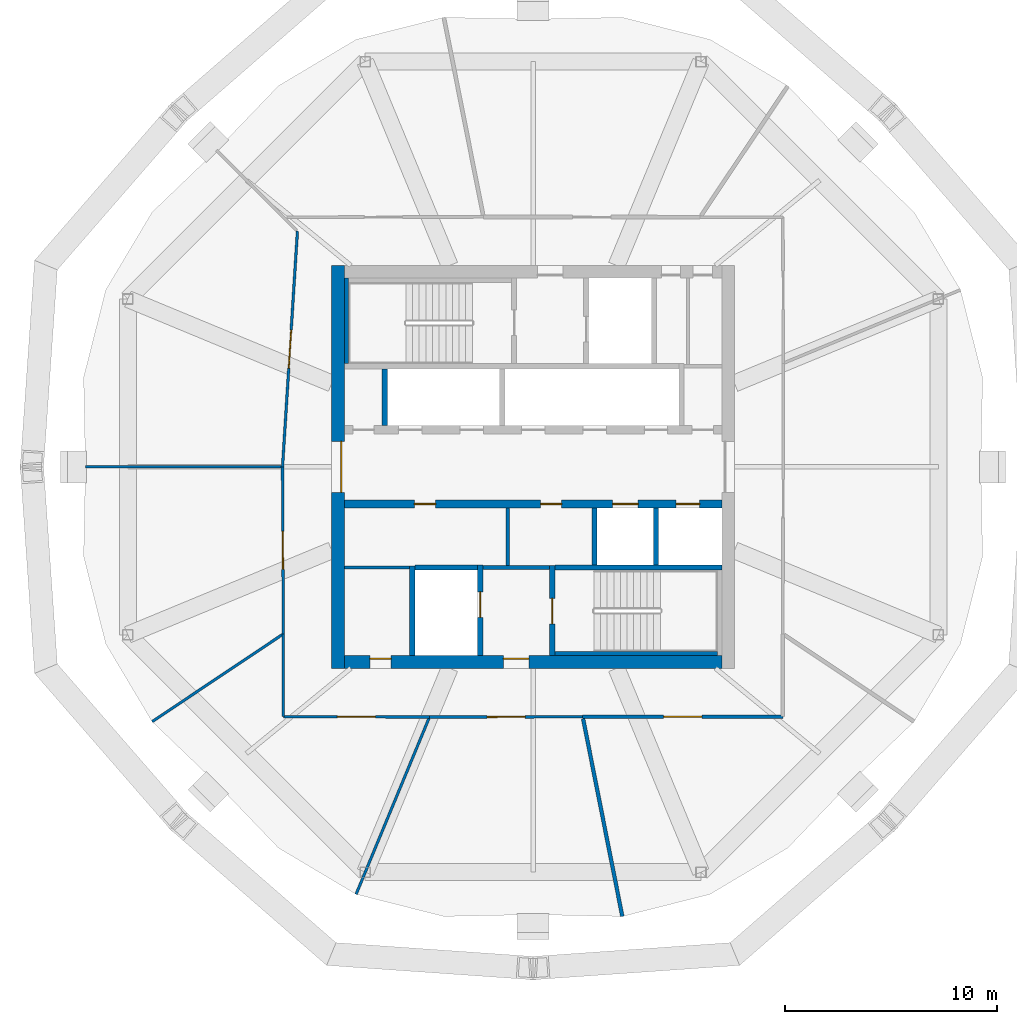
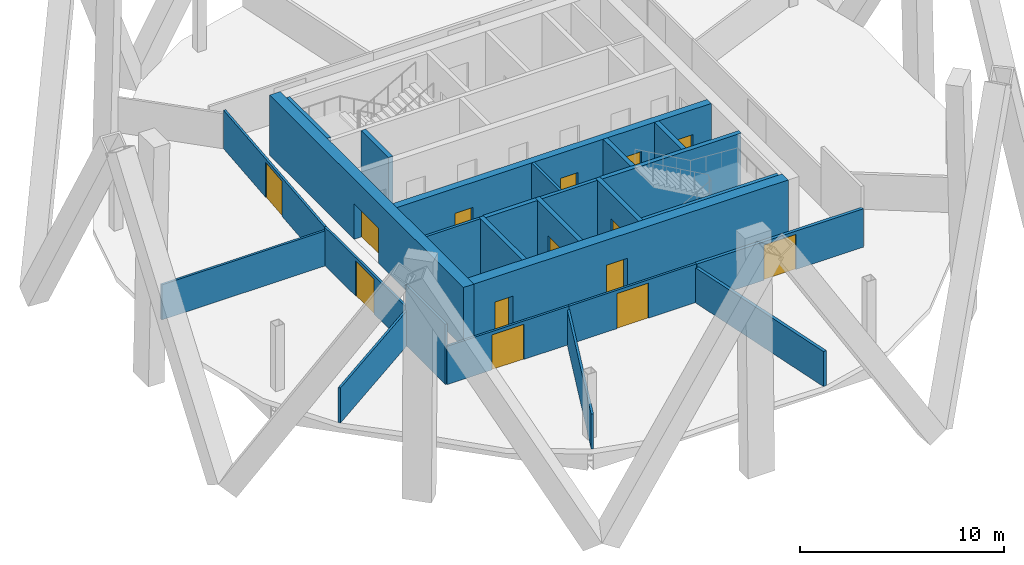
# One storey, part 4 of 10: 26 walls, 14 doors, 14 openings.
"""IFC4 building model written with IfcOpenShell, lengths in metres."""

from ifc_helpers import new_model, si_unit, direction, frame, frame_2d, origin, place, context, subcontext, project, spatial, rectangle, extrude, material, layer, layer_set, type_object, element, fill, save


model = new_model("IFC4")

# Units and contexts
model_context = context("Model", 3, precision=1e-05, world=origin(), true_north=direction((0.0, 1.0)))
body_context = subcontext(model_context, "Body", "Model", "MODEL_VIEW")
ifc_project = project(units=[si_unit("LENGTHUNIT", "METRE"), si_unit("AREAUNIT", "SQUARE_METRE"), si_unit("VOLUMEUNIT", "CUBIC_METRE"), si_unit("PLANEANGLEUNIT", "RADIAN"), si_unit("MASSUNIT", "GRAM", prefix="KILO")], contexts=[model_context])

# Site, building, storey
site_placement = place(None, origin())
site = spatial("IfcSite", under=ifc_project, at=site_placement, CompositionType="ELEMENT")
building_placement = place(site_placement, origin())
building = spatial("IfcBuilding", under=site, at=building_placement, Name="Ogive Gate Towers", CompositionType="ELEMENT")
storey_placement = place(building_placement, frame((0.0, 0.0, 204.60009765625)))
storey = spatial("IfcBuildingStorey", under=building, at=storey_placement, Name="L49", CompositionType="ELEMENT", Elevation=204.60009765625)

# Wall
ifc_material_1 = material(Name="Gypsum board acoustic partition")
ifc_layer_1 = layer(ifc_material_1, 0.175048828125)
ifc_layer_set_1 = layer_set([ifc_layer_1], Name="Acoustic partition 175")
wall_type_1 = type_object("IfcWallType", Name="Acoustic partition 175", PredefinedType="PARTITIONING", material=ifc_layer_set_1)
wall_1_placement = place(storey_placement, frame((-31.790283203125, -21.205810546875, 0.0), z_axis=(0.0, 0.0, 1.0), x_axis=(-0.194714091205, 0.980860042354, 0.0)))
element("IfcWall", 1, at=wall_1_placement, inside=storey, type_object=wall_type_1, Name="Partition T1-L49-008", PredefinedType="PARTITIONING", context=body_context, shape_type="SweptSolid", body=[
    extrude(rectangle(XDim=9.51171875, YDim=0.175048828125, at=frame_2d((4.755859375, 0.0))), origin(), (0.0, 0.0, 1.0), 2.099853515625),
])

# Wall, opening, door
wall_2_placement = place(storey_placement, frame((-33.659423828125, -11.79052734375, 0.0), z_axis=(0.0, 0.0, 1.0), x_axis=(0.999999381567, 0.001112144977, 0.0)))
wall_2 = element("IfcWall", 2, at=wall_2_placement, inside=storey, type_object=wall_type_1, Name="Partition T1-L49-014", PredefinedType="PARTITIONING", context=body_context, shape_type="SweptSolid", body=[
    extrude(rectangle(XDim=9.439453125, YDim=0.175048828125, at=frame_2d((4.7197265625, 0.0))), origin(), (0.0, 0.0, 1.0), 2.2998046875),
])
opening_1_placement = place(wall_2_placement, frame((3.820068359375, 0.0, 0.0)))
opening_1 = element("IfcOpeningElement", 3, at=opening_1_placement, cuts=wall_2, Name="Opening T1-L49-D04", PredefinedType="OPENING", context=body_context, shape_type="SweptSolid", body=[
    extrude(rectangle(XDim=1.800048828125, YDim=2.10009765625, at=frame_2d((0.89990234375, 1.050048828125))), frame((0.0, 0.09765625, 0.0), z_axis=(0.0, -1.0, 0.0), x_axis=(1.0, 0.0, 0.0)), (0.0, 0.0, 1.0), 0.195068359375),
])
ifc_material_2 = material(Name="Timber door", Category="wood")
door_type_1 = type_object("IfcDoorType", Name="Door pair 1800", OperationType="NOTDEFINED", PredefinedType="DOOR", material=ifc_material_2)
door_1_placement = place(opening_1_placement, origin())
door_1 = element("IfcDoor", 4, at=door_1_placement, inside=storey, type_object=door_type_1, Name="Door T1-L49-D04", OperationType="DOUBLE_DOOR_DOUBLE_SWING", OverallHeight=2.10009765625, OverallWidth=1.800048828125, PredefinedType="DOOR", context=body_context, shape_type="SweptSolid", body=[
    extrude(rectangle(XDim=1.800048828125, YDim=2.10009765625, at=frame_2d((0.89990234375, 1.050048828125))), frame((0.0, 0.02490234375, 0.0), z_axis=(0.0, -1.0, 0.0), x_axis=(1.0, 0.0, 0.0)), (0.0, 0.0, 1.0), 0.050048828125),
])
fill(opening_1, door_1)

# Wall
ifc_material_3 = material(Name="Masonry blockwork", Category="masonry")
ifc_layer_2 = layer(ifc_material_3, 0.199951171875)
ifc_layer_set_2 = layer_set([ifc_layer_2], Name="Blockwork wall 200 mm")
wall_type_2 = type_object("IfcWallType", Name="Blockwork wall 200 mm", PredefinedType="PARTITIONING", material=ifc_layer_set_2)
wall_3_placement = place(storey_placement, frame((-38.375, -4.75, 0.0), z_axis=(0.0, 0.0, 1.0), x_axis=(1.0, 0.0, 0.0)))
element("IfcWall", 5, at=wall_3_placement, inside=storey, type_object=wall_type_2, Name="T1 L49 Blockwork wall 200 mm", PredefinedType="PARTITIONING", context=body_context, shape_type="SweptSolid", body=[
    extrude(rectangle(XDim=3.14990234375, YDim=0.199951171875, at=frame_2d((1.574951171875, 0.0))), origin(), (0.0, 0.0, 1.0), 3.599853515625),
])

# Wall, openings, doors
ifc_material_4 = material(Name="Concrete C60/75", Category="concrete")
ifc_layer_3 = layer(ifc_material_4, 0.60009765625)
ifc_layer_set_3 = layer_set([ifc_layer_3], Name="Core wall 600 mm")
wall_type_3 = type_object("IfcWallType", Name="Core wall 600 mm", PredefinedType="SHEAR", material=ifc_layer_set_3)
wall_4_placement = place(storey_placement, frame((-44.89990234375, -9.199951171875, 0.0), z_axis=(0.0, 0.0, 1.0), x_axis=(1.0, 0.0, 0.0)))
wall_4 = element("IfcWall", 6, at=wall_4_placement, inside=storey, type_object=wall_type_3, Name="T1 L49 Core wall 600 mm", PredefinedType="SHEAR", context=body_context, shape_type="SweptSolid", body=[
    extrude(rectangle(XDim=17.7998046875, YDim=0.60009765625, at=frame_2d((8.89990234375, 0.0))), origin(), (0.0, 0.0, 1.0), 3.599853515625),
])
opening_2_placement = place(wall_4_placement, frame((7.5, 0.0, 0.0)))
opening_2 = element("IfcOpeningElement", 7, at=opening_2_placement, cuts=wall_4, Name="Opening KD-T1-L49-19", PredefinedType="OPENING", context=body_context, shape_type="SweptSolid", body=[
    extrude(rectangle(XDim=1.199951171875, YDim=2.10009765625, at=frame_2d((0.60009765625, 1.050048828125))), frame((0.0, 0.31005859375, 0.0), z_axis=(0.0, -1.0, 0.0), x_axis=(1.0, 0.0, 0.0)), (0.0, 0.0, 1.0), 0.6201171875),
])
opening_3_placement = place(wall_4_placement, frame((1.199951171875, 0.0, 0.0)))
opening_3 = element("IfcOpeningElement", 8, at=opening_3_placement, cuts=wall_4, Name="Opening KD-T1-L49-22", PredefinedType="OPENING", context=body_context, shape_type="SweptSolid", body=[
    extrude(rectangle(XDim=1.0, YDim=2.10009765625, at=frame_2d((0.5, 1.050048828125))), frame((0.0, 0.31005859375, 0.0), z_axis=(0.0, -1.0, 0.0), x_axis=(1.0, 0.0, 0.0)), (0.0, 0.0, 1.0), 0.6201171875),
])
door_type_2 = type_object("IfcDoorType", Name="Accessible WC door 1000 x 2100", OperationType="NOTDEFINED", PredefinedType="DOOR", material=ifc_material_2)
door_2_placement = place(opening_3_placement, origin())
door_2 = element("IfcDoor", 9, at=door_2_placement, inside=storey, type_object=door_type_2, Name="T1 L49 Core door", OperationType="SINGLE_SWING_LEFT", OverallHeight=2.10009765625, OverallWidth=1.0, PredefinedType="DOOR", context=body_context, shape_type="SweptSolid", body=[
    extrude(rectangle(XDim=1.0, YDim=2.10009765625, at=frame_2d((0.5, 1.050048828125))), frame((0.0, 0.1748046875, 0.0), z_axis=(0.0, -1.0, 0.0), x_axis=(1.0, 0.0, 0.0)), (0.0, 0.0, 1.0), 0.050048828125),
])
fill(opening_3, door_2)
ifc_material_5 = material(Name="Steel fire door", Category="steel")
door_type_3 = type_object("IfcDoorType", Name="Core door FD60S 1200 x 2100", OperationType="NOTDEFINED", PredefinedType="DOOR", material=ifc_material_5)
door_3_placement = place(opening_2_placement, origin())
door_3 = element("IfcDoor", 10, at=door_3_placement, inside=storey, type_object=door_type_3, Name="T1 L49 Fire-fighting lobby door", OperationType="SINGLE_SWING_RIGHT", OverallHeight=2.10009765625, OverallWidth=1.199951171875, PredefinedType="DOOR", context=body_context, shape_type="SweptSolid", body=[
    extrude(rectangle(XDim=1.199951171875, YDim=2.10009765625, at=frame_2d((0.60009765625, 1.050048828125))), frame((0.0, 0.1748046875, 0.0), z_axis=(0.0, -1.0, 0.0), x_axis=(1.0, 0.0, 0.0)), (0.0, 0.0, 1.0), 0.050048828125),
])
fill(opening_2, door_3)

# Wall, opening, door
wall_5_placement = place(storey_placement, frame((-45.199951171875, -9.5, 0.0), z_axis=(0.0, 0.0, 1.0), x_axis=(0.0, 1.0, 0.0)))
wall_5 = element("IfcWall", 11, at=wall_5_placement, inside=storey, type_object=wall_type_3, Name="T1 L49 Core wall 600 mm", PredefinedType="SHEAR", context=body_context, shape_type="SweptSolid", body=[
    extrude(rectangle(XDim=19.0, YDim=0.60009765625, at=frame_2d((9.5, 0.0))), origin(), (0.0, 0.0, 1.0), 3.599853515625),
])
opening_4_placement = place(wall_5_placement, frame((8.300048828125, 0.0, 0.0)))
opening_4 = element("IfcOpeningElement", 12, at=opening_4_placement, cuts=wall_5, Name="Opening KD-T1-L49-01", PredefinedType="OPENING", context=body_context, shape_type="SweptSolid", body=[
    extrude(rectangle(XDim=2.39990234375, YDim=2.10009765625, at=frame_2d((1.199951171875, 1.050048828125))), frame((0.0, 0.31005859375, 0.0), z_axis=(0.0, -1.0, 0.0), x_axis=(1.0, 0.0, 0.0)), (0.0, 0.0, 1.0), 0.6201171875),
])
door_type_4 = type_object("IfcDoorType", Name="Core double door FD60S 2400 x 2100", OperationType="DOUBLE_DOOR_SINGLE_SWING", PredefinedType="DOOR", material=ifc_material_5)
door_4_placement = place(opening_4_placement, origin())
door_4 = element("IfcDoor", 13, at=door_4_placement, inside=storey, type_object=door_type_4, Name="T1 L49 Core door double", OperationType="DOUBLE_DOOR_SINGLE_SWING", OverallHeight=2.10009765625, OverallWidth=2.39990234375, PredefinedType="DOOR", context=body_context, shape_type="SweptSolid", body=[
    extrude(rectangle(XDim=2.39990234375, YDim=2.10009765625, at=frame_2d((1.199951171875, 1.050048828125))), frame((0.0, -0.125, 0.0), z_axis=(0.0, -1.0, 0.0), x_axis=(1.0, 0.0, 0.0)), (0.0, 0.0, 1.0), 0.050048828125),
])
fill(opening_4, door_4)

# Walls
ifc_material_6 = material(Name="Gypsum board partition")
ifc_layer_4 = layer(ifc_material_6, 0.125)
ifc_layer_set_4 = layer_set([ifc_layer_4], Name="Partition 125")
wall_type_4 = type_object("IfcWallType", Name="Partition 125", PredefinedType="PARTITIONING", material=ifc_layer_set_4)
wall_6_placement = place(storey_placement, frame((-57.118896484375, 0.0, 0.0), z_axis=(0.0, 0.0, 1.0), x_axis=(1.0, 0.0, 0.0)))
element("IfcWall", 14, at=wall_6_placement, inside=storey, type_object=wall_type_4, Name="Partition T1-L49-005", PredefinedType="PARTITIONING", context=body_context, shape_type="SweptSolid", body=[
    extrude(rectangle(XDim=9.236328125, YDim=0.125, at=frame_2d((4.6181640625, 0.0))), origin(), (0.0, 0.0, 1.0), 2.099853515625),
])
wall_7_placement = place(storey_placement, frame((-53.971435546875, -12.01806640625, 0.0), z_axis=(0.0, 0.0, 1.0), x_axis=(0.831266378973, 0.555874272826, 0.0)))
element("IfcWall", 15, at=wall_7_placement, inside=storey, type_object=wall_type_4, Name="Partition T1-L49-006", PredefinedType="PARTITIONING", context=body_context, shape_type="SweptSolid", body=[
    extrude(rectangle(XDim=7.386474609375, YDim=0.125, at=frame_2d((3.693359375, 0.0))), origin(), (0.0, 0.0, 1.0), 2.099853515625),
])
wall_8_placement = place(storey_placement, frame((-44.35009765625, -20.1591796875, 0.0), z_axis=(0.0, 0.0, 1.0), x_axis=(0.382679707877, 0.923881075236, 0.0)))
element("IfcWall", 16, at=wall_8_placement, inside=storey, type_object=wall_type_4, Name="Partition T1-L49-007", PredefinedType="PARTITIONING", context=body_context, shape_type="SweptSolid", body=[
    extrude(rectangle(XDim=8.986572265625, YDim=0.125, at=frame_2d((4.4931640625, 0.0))), origin(), (0.0, 0.0, 1.0), 2.099853515625),
])

# Wall, opening, door
wall_9_placement = place(storey_placement, frame((-47.820068359375, 0.0, 0.0), z_axis=(0.0, 0.0, 1.0), x_axis=(0.005175817855, -0.999986605365, 0.0)))
wall_9 = element("IfcWall", 17, at=wall_9_placement, inside=storey, type_object=wall_type_4, Name="Partition T1-L49-010", PredefinedType="PARTITIONING", context=body_context, shape_type="SweptSolid", body=[
    extrude(rectangle(XDim=7.877197265625, YDim=0.125, at=frame_2d((3.9384765625, 0.0))), origin(), (0.0, 0.0, 1.0), 2.2998046875),
])
opening_5_placement = place(wall_9_placement, frame((3.0390625, 0.0, 0.0)))
opening_5 = element("IfcOpeningElement", 18, at=opening_5_placement, cuts=wall_9, Name="Opening T1-L49-D01", PredefinedType="OPENING", context=body_context, shape_type="SweptSolid", body=[
    extrude(rectangle(XDim=1.800048828125, YDim=2.10009765625, at=frame_2d((0.89990234375, 1.050048828125))), frame((0.0, 0.072509765625, 0.0), z_axis=(0.0, -1.0, 0.0), x_axis=(1.0, 0.0, 0.0)), (0.0, 0.0, 1.0), 0.14501953125),
])
door_5_placement = place(opening_5_placement, origin())
door_5 = element("IfcDoor", 19, at=door_5_placement, inside=storey, type_object=door_type_1, Name="Door T1-L49-D01", OperationType="DOUBLE_DOOR_DOUBLE_SWING", OverallHeight=2.10009765625, OverallWidth=1.800048828125, PredefinedType="DOOR", context=body_context, shape_type="SweptSolid", body=[
    extrude(rectangle(XDim=1.800048828125, YDim=2.10009765625, at=frame_2d((0.89990234375, 1.050048828125))), frame((0.0, 0.02490234375, 0.0), z_axis=(0.0, -1.0, 0.0), x_axis=(1.0, 0.0, 0.0)), (0.0, 0.0, 1.0), 0.050048828125),
])
fill(opening_5, door_5)

wall_10_placement = place(storey_placement, frame((-47.780029296875, -11.780029296875, 0.0), z_axis=(0.0, 0.0, 1.0), x_axis=(0.999996280925, -0.002727294784, 0.0)))
wall_10 = element("IfcWall", 20, at=wall_10_placement, inside=storey, type_object=wall_type_4, Name="Partition T1-L49-011", PredefinedType="PARTITIONING", context=body_context, shape_type="SweptSolid", body=[
    extrude(rectangle(XDim=6.892822265625, YDim=0.125, at=frame_2d((3.4462890625, 0.0))), origin(), (0.0, 0.0, 1.0), 2.2998046875),
])
opening_6_placement = place(wall_10_placement, frame((2.5458984375, 0.0, 0.0)))
opening_6 = element("IfcOpeningElement", 21, at=opening_6_placement, cuts=wall_10, Name="Opening T1-L49-D02", PredefinedType="OPENING", context=body_context, shape_type="SweptSolid", body=[
    extrude(rectangle(XDim=1.800048828125, YDim=2.10009765625, at=frame_2d((0.89990234375, 1.050048828125))), frame((0.0, 0.072509765625, 0.0), z_axis=(0.0, -1.0, 0.0), x_axis=(1.0, 0.0, 0.0)), (0.0, 0.0, 1.0), 0.14501953125),
])
door_6_placement = place(opening_6_placement, origin())
door_6 = element("IfcDoor", 22, at=door_6_placement, inside=storey, type_object=door_type_1, Name="Door T1-L49-D02", OperationType="DOUBLE_DOOR_DOUBLE_SWING", OverallHeight=2.10009765625, OverallWidth=1.800048828125, PredefinedType="DOOR", context=body_context, shape_type="SweptSolid", body=[
    extrude(rectangle(XDim=1.800048828125, YDim=2.10009765625, at=frame_2d((0.89990234375, 1.050048828125))), frame((0.0, 0.02490234375, 0.0), z_axis=(0.0, -1.0, 0.0), x_axis=(1.0, 0.0, 0.0)), (0.0, 0.0, 1.0), 0.050048828125),
])
fill(opening_6, door_6)

# Wall
wall_11_placement = place(storey_placement, frame((-47.779296875, -7.877197265625, 0.0), z_axis=(0.0, 0.0, 1.0), x_axis=(-0.000187664203, -0.999999982391, 0.0)))
element("IfcWall", 23, at=wall_11_placement, inside=storey, type_object=wall_type_4, Name="Partition T1-L49-012", PredefinedType="PARTITIONING", context=body_context, shape_type="SweptSolid", body=[
    extrude(rectangle(XDim=3.90283203125, YDim=0.125, at=frame_2d((1.951416015625, 0.0))), origin(), (0.0, 0.0, 1.0), 3.599853515625),
])

# Wall, opening, door
wall_12_placement = place(storey_placement, frame((-40.88720703125, -11.798828125, 0.0), z_axis=(0.0, 0.0, 1.0), x_axis=(0.999999340527, 0.001148453896, 0.0)))
wall_12 = element("IfcWall", 24, at=wall_12_placement, inside=storey, type_object=wall_type_4, Name="Partition T1-L49-013", PredefinedType="PARTITIONING", context=body_context, shape_type="SweptSolid", body=[
    extrude(rectangle(XDim=7.227783203125, YDim=0.125, at=frame_2d((3.61376953125, 0.0))), origin(), (0.0, 0.0, 1.0), 2.2998046875),
])
opening_7_placement = place(wall_12_placement, frame((2.714111328125, 0.0, 0.0)))
opening_7 = element("IfcOpeningElement", 25, at=opening_7_placement, cuts=wall_12, Name="Opening T1-L49-D03", PredefinedType="OPENING", context=body_context, shape_type="SweptSolid", body=[
    extrude(rectangle(XDim=1.800048828125, YDim=2.10009765625, at=frame_2d((0.89990234375, 1.050048828125))), frame((0.0, 0.072509765625, 0.0), z_axis=(0.0, -1.0, 0.0), x_axis=(1.0, 0.0, 0.0)), (0.0, 0.0, 1.0), 0.14501953125),
])
door_7_placement = place(opening_7_placement, origin())
door_7 = element("IfcDoor", 26, at=door_7_placement, inside=storey, type_object=door_type_1, Name="Door T1-L49-D03", OperationType="DOUBLE_DOOR_DOUBLE_SWING", OverallHeight=2.10009765625, OverallWidth=1.800048828125, PredefinedType="DOOR", context=body_context, shape_type="SweptSolid", body=[
    extrude(rectangle(XDim=1.800048828125, YDim=2.10009765625, at=frame_2d((0.89990234375, 1.050048828125))), frame((0.0, 0.02490234375, 0.0), z_axis=(0.0, -1.0, 0.0), x_axis=(1.0, 0.0, 0.0)), (0.0, 0.0, 1.0), 0.050048828125),
])
fill(opening_7, door_7)

wall_13_placement = place(storey_placement, frame((-47.11572265625, 11.11572265625, 0.0), z_axis=(0.0, 0.0, 1.0), x_axis=(-0.063237988172, -0.997998475376, 0.0)))
wall_13 = element("IfcWall", 27, at=wall_13_placement, inside=storey, type_object=wall_type_4, Name="Partition T1-L49-021", PredefinedType="PARTITIONING", context=body_context, shape_type="SweptSolid", body=[
    extrude(rectangle(XDim=11.137939453125, YDim=0.125, at=frame_2d((5.56884765625, 0.0))), origin(), (0.0, 0.0, 1.0), 2.2998046875),
])
opening_8_placement = place(wall_13_placement, frame((4.6689453125, 0.0, 0.0)))
opening_8 = element("IfcOpeningElement", 28, at=opening_8_placement, cuts=wall_13, Name="Opening T1-L49-D09", PredefinedType="OPENING", context=body_context, shape_type="SweptSolid", body=[
    extrude(rectangle(XDim=1.800048828125, YDim=2.10009765625, at=frame_2d((0.89990234375, 1.050048828125))), frame((0.0, 0.072509765625, 0.0), z_axis=(0.0, -1.0, 0.0), x_axis=(1.0, 0.0, 0.0)), (0.0, 0.0, 1.0), 0.14501953125),
])
door_8_placement = place(opening_8_placement, origin())
door_8 = element("IfcDoor", 29, at=door_8_placement, inside=storey, type_object=door_type_1, Name="Door T1-L49-D09", OperationType="DOUBLE_DOOR_DOUBLE_SWING", OverallHeight=2.10009765625, OverallWidth=1.800048828125, PredefinedType="DOOR", context=body_context, shape_type="SweptSolid", body=[
    extrude(rectangle(XDim=1.800048828125, YDim=2.10009765625, at=frame_2d((0.89990234375, 1.050048828125))), frame((0.0, 0.02490234375, 0.0), z_axis=(0.0, -1.0, 0.0), x_axis=(1.0, 0.0, 0.0)), (0.0, 0.0, 1.0), 0.050048828125),
])
fill(opening_8, door_8)

# Walls
ifc_layer_5 = layer(ifc_material_6, 0.14990234375)
ifc_layer_set_5 = layer_set([ifc_layer_5], Name="Room partition 150 mm")
wall_type_5 = type_object("IfcWallType", Name="Room partition 150 mm", PredefinedType="PARTITIONING", material=ifc_layer_set_5)
wall_14_placement = place(storey_placement, frame((-44.89990234375, -4.75, 0.0), z_axis=(0.0, 0.0, 1.0), x_axis=(1.0, 0.0, 0.0)))
element("IfcWall", 30, at=wall_14_placement, inside=storey, type_object=wall_type_5, Name="T1 L49 Room partition 150 mm", PredefinedType="PARTITIONING", context=body_context, shape_type="SweptSolid", body=[
    extrude(rectangle(XDim=3.074951171875, YDim=0.14990234375, at=frame_2d((1.53759765625, 0.0))), origin(), (0.0, 0.0, 1.0), 3.599853515625),
])
wall_15_placement = place(storey_placement, frame((-37.199951171875, -4.64990234375, 0.0), z_axis=(0.0, 0.0, 1.0), x_axis=(0.0, 1.0, 0.0)))
element("IfcWall", 31, at=wall_15_placement, inside=storey, type_object=wall_type_5, Name="T1 L49 Room partition 150 mm", PredefinedType="PARTITIONING", context=body_context, shape_type="SweptSolid", body=[
    extrude(rectangle(XDim=2.699951171875, YDim=0.14990234375, at=frame_2d((1.35009765625, 0.0))), origin(), (0.0, 0.0, 1.0), 3.599853515625),
])
ifc_layer_6 = layer(ifc_material_4, 0.25)
ifc_layer_set_6 = layer_set([ifc_layer_6], Name="Shaft wall 250 mm")
wall_type_6 = type_object("IfcWallType", Name="Shaft wall 250 mm", PredefinedType="SHEAR", material=ifc_layer_set_6)
wall_16_placement = place(storey_placement, frame((-41.574951171875, -4.75, 0.0), z_axis=(0.0, 0.0, 1.0), x_axis=(1.0, 0.0, 0.0)))
element("IfcWall", 32, at=wall_16_placement, inside=storey, type_object=wall_type_6, Name="T1 L49 Shaft wall 250 mm", PredefinedType="SHEAR", context=body_context, shape_type="SweptSolid", body=[
    extrude(rectangle(XDim=2.949951171875, YDim=0.25, at=frame_2d((1.47509765625, 0.0))), origin(), (0.0, 0.0, 1.0), 3.599853515625),
])
wall_17_placement = place(storey_placement, frame((-34.97509765625, -4.75, 0.0), z_axis=(0.0, 0.0, 1.0), x_axis=(1.0, 0.0, 0.0)))
element("IfcWall", 33, at=wall_17_placement, inside=storey, type_object=wall_type_6, Name="T1 L49 Shaft wall 250 mm", PredefinedType="SHEAR", context=body_context, shape_type="SweptSolid", body=[
    extrude(rectangle(XDim=7.875, YDim=0.25, at=frame_2d((3.9375, 0.0))), origin(), (0.0, 0.0, 1.0), 3.599853515625),
])
wall_18_placement = place(storey_placement, frame((-43.0, 1.949951171875, 0.0), z_axis=(0.0, 0.0, 1.0), x_axis=(0.0, 1.0, 0.0)))
element("IfcWall", 34, at=wall_18_placement, inside=storey, type_object=wall_type_6, Name="T1 L49 Shaft wall 250 mm", PredefinedType="SHEAR", context=body_context, shape_type="SweptSolid", body=[
    extrude(rectangle(XDim=2.675048828125, YDim=0.25, at=frame_2d((1.33740234375, 0.0))), origin(), (0.0, 0.0, 1.0), 3.599853515625),
])
wall_19_placement = place(storey_placement, frame((-41.699951171875, -8.89990234375, 0.0), z_axis=(0.0, 0.0, 1.0), x_axis=(0.0, 1.0, 0.0)))
element("IfcWall", 35, at=wall_19_placement, inside=storey, type_object=wall_type_6, Name="T1 L49 Shaft wall 250 mm", PredefinedType="SHEAR", context=body_context, shape_type="SweptSolid", body=[
    extrude(rectangle(XDim=4.224853515625, YDim=0.25, at=frame_2d((2.1123046875, 0.0))), origin(), (0.0, 0.0, 1.0), 3.599853515625),
])

# Wall, opening, door
wall_20_placement = place(storey_placement, frame((-38.5, -8.89990234375, 0.0), z_axis=(0.0, 0.0, 1.0), x_axis=(0.0, 1.0, 0.0)))
wall_20 = element("IfcWall", 36, at=wall_20_placement, inside=storey, type_object=wall_type_6, Name="T1 L49 Shaft wall 250 mm", PredefinedType="SHEAR", context=body_context, shape_type="SweptSolid", body=[
    extrude(rectangle(XDim=4.27490234375, YDim=0.25, at=frame_2d((2.137451171875, 0.0))), origin(), (0.0, 0.0, 1.0), 3.599853515625),
])
opening_9_placement = place(wall_20_placement, frame((1.800048828125, 0.0, 0.0)))
opening_9 = element("IfcOpeningElement", 37, at=opening_9_placement, cuts=wall_20, Name="Opening LD-T1-L49-13", PredefinedType="OPENING", context=body_context, shape_type="SweptSolid", body=[
    extrude(rectangle(XDim=1.199951171875, YDim=2.10009765625, at=frame_2d((0.60009765625, 1.050048828125))), frame((0.0, 0.135009765625, 0.0), z_axis=(0.0, -1.0, 0.0), x_axis=(1.0, 0.0, 0.0)), (0.0, 0.0, 1.0), 0.27001953125),
])
ifc_material_7 = material(Name="Stainless steel landing door", Category="steel")
door_type_5 = type_object("IfcDoorType", Name="Landing door 1200 x 2100", OperationType="SLIDING_TO_LEFT", PredefinedType="DOOR", material=ifc_material_7)
door_9_placement = place(opening_9_placement, origin())
door_9 = element("IfcDoor", 38, at=door_9_placement, inside=storey, type_object=door_type_5, Name="T1 L49 Lift landing door FF2", OperationType="SLIDING_TO_LEFT", OverallHeight=2.10009765625, OverallWidth=1.199951171875, PredefinedType="DOOR", context=body_context, shape_type="SweptSolid", body=[
    extrude(rectangle(XDim=1.199951171875, YDim=2.10009765625, at=frame_2d((0.60009765625, 1.050048828125))), frame((0.0, 0.02490234375, 0.0), z_axis=(0.0, -1.0, 0.0), x_axis=(1.0, 0.0, 0.0)), (0.0, 0.0, 1.0), 0.050048828125),
])
fill(opening_9, door_9)

wall_21_placement = place(storey_placement, frame((-35.10009765625, -8.89990234375, 0.0), z_axis=(0.0, 0.0, 1.0), x_axis=(0.0, 1.0, 0.0)))
wall_21 = element("IfcWall", 39, at=wall_21_placement, inside=storey, type_object=wall_type_6, Name="T1 L49 Shaft wall 250 mm", PredefinedType="SHEAR", context=body_context, shape_type="SweptSolid", body=[
    extrude(rectangle(XDim=4.25, YDim=0.25, at=frame_2d((2.125, 0.0))), origin(), (0.0, 0.0, 1.0), 3.599853515625),
])
opening_10_placement = place(wall_21_placement, frame((1.5, 0.0, 0.0)))
opening_10 = element("IfcOpeningElement", 40, at=opening_10_placement, cuts=wall_21, Name="Opening KD-T1-L49-17", PredefinedType="OPENING", context=body_context, shape_type="SweptSolid", body=[
    extrude(rectangle(XDim=1.199951171875, YDim=2.10009765625, at=frame_2d((0.60009765625, 1.050048828125))), frame((0.0, 0.135009765625, 0.0), z_axis=(0.0, -1.0, 0.0), x_axis=(1.0, 0.0, 0.0)), (0.0, 0.0, 1.0), 0.27001953125),
])
door_10_placement = place(opening_10_placement, origin())
door_10 = element("IfcDoor", 41, at=door_10_placement, inside=storey, type_object=door_type_3, Name="T1 L49 Stair door", OperationType="SINGLE_SWING_RIGHT", OverallHeight=2.10009765625, OverallWidth=1.199951171875, PredefinedType="DOOR", context=body_context, shape_type="SweptSolid", body=[
    extrude(rectangle(XDim=1.199951171875, YDim=2.10009765625, at=frame_2d((0.60009765625, 1.050048828125))), frame((0.0, 0.02490234375, 0.0), z_axis=(0.0, -1.0, 0.0), x_axis=(1.0, 0.0, 0.0)), (0.0, 0.0, 1.0), 0.050048828125),
])
fill(opening_10, door_10)

# Walls
for number, where, z_axis, x_axis, name in (
    (42, (-33.10009765625, -4.625, 0.0), (0.0, 0.0, 1.0), (0.0, 1.0, 0.0), "T1 L49 Shaft wall 250 mm"),
    (43, (-30.199951171875, -4.625, 0.0), (0.0, 0.0, 1.0), (0.0, 1.0, 0.0), "T1 L49 Shaft wall 250 mm"),
):
    element("IfcWall", number, at=place(storey_placement, frame(where, z_axis=z_axis, x_axis=x_axis)), inside=storey, type_object=wall_type_6, Name=name, PredefinedType="SHEAR", context=body_context, shape_type="SweptSolid", body=[
        extrude(rectangle(XDim=2.675048828125, YDim=0.25, at=frame_2d((1.33740234375, 0.0))), origin(), (0.0, 0.0, 1.0), 3.599853515625),
    ])

# Wall, openings, doors
ifc_layer_7 = layer(ifc_material_4, 0.39990234375)
ifc_layer_set_7 = layer_set([ifc_layer_7], Name="Spine wall 400 mm")
wall_type_7 = type_object("IfcWallType", Name="Spine wall 400 mm", PredefinedType="SHEAR", material=ifc_layer_set_7)
wall_22_placement = place(storey_placement, frame((-44.89990234375, -1.75, 0.0), z_axis=(0.0, 0.0, 1.0), x_axis=(1.0, 0.0, 0.0)))
wall_22 = element("IfcWall", 44, at=wall_22_placement, inside=storey, type_object=wall_type_7, Name="T1 L49 Spine wall 400 mm", PredefinedType="SHEAR", context=body_context, shape_type="SweptSolid", body=[
    extrude(rectangle(XDim=17.7998046875, YDim=0.39990234375, at=frame_2d((8.89990234375, 0.0))), origin(), (0.0, 0.0, 1.0), 3.599853515625),
])
opening_11_placement = place(wall_22_placement, frame((12.64990234375, 0.0, 0.0)))
opening_11 = element("IfcOpeningElement", 45, at=opening_11_placement, cuts=wall_22, Name="Opening LD-T1-L49-10", PredefinedType="OPENING", context=body_context, shape_type="SweptSolid", body=[
    extrude(rectangle(XDim=1.199951171875, YDim=2.10009765625, at=frame_2d((0.60009765625, 1.050048828125))), frame((0.0, 0.2099609375, 0.0), z_axis=(0.0, -1.0, 0.0), x_axis=(1.0, 0.0, 0.0)), (0.0, 0.0, 1.0), 0.419921875),
])
opening_12_placement = place(wall_22_placement, frame((15.64990234375, 0.0, 0.0)))
opening_12 = element("IfcOpeningElement", 46, at=opening_12_placement, cuts=wall_22, Name="Opening LD-T1-L49-11", PredefinedType="OPENING", context=body_context, shape_type="SweptSolid", body=[
    extrude(rectangle(XDim=1.10009765625, YDim=2.10009765625, at=frame_2d((0.550048828125, 1.050048828125))), frame((0.0, 0.2099609375, 0.0), z_axis=(0.0, -1.0, 0.0), x_axis=(1.0, 0.0, 0.0)), (0.0, 0.0, 1.0), 0.419921875),
])
opening_13_placement = place(wall_22_placement, frame((3.300048828125, 0.0, 0.0)))
opening_13 = element("IfcOpeningElement", 47, at=opening_13_placement, cuts=wall_22, Name="Opening KD-T1-L49-14", PredefinedType="OPENING", context=body_context, shape_type="SweptSolid", body=[
    extrude(rectangle(XDim=1.0, YDim=2.10009765625, at=frame_2d((0.5, 1.050048828125))), frame((0.0, 0.2099609375, 0.0), z_axis=(0.0, -1.0, 0.0), x_axis=(1.0, 0.0, 0.0)), (0.0, 0.0, 1.0), 0.419921875),
])
opening_14_placement = place(wall_22_placement, frame((9.25, 0.0, 0.0)))
opening_14 = element("IfcOpeningElement", 48, at=opening_14_placement, cuts=wall_22, Name="Opening KD-T1-L49-15", PredefinedType="OPENING", context=body_context, shape_type="SweptSolid", body=[
    extrude(rectangle(XDim=1.0, YDim=2.10009765625, at=frame_2d((0.5, 1.050048828125))), frame((0.0, 0.2099609375, 0.0), z_axis=(0.0, -1.0, 0.0), x_axis=(1.0, 0.0, 0.0)), (0.0, 0.0, 1.0), 0.419921875),
])
door_type_6 = type_object("IfcDoorType", Name="Core door FD60S 1000 x 2100", OperationType="NOTDEFINED", PredefinedType="DOOR", material=ifc_material_5)
door_11_placement = place(opening_13_placement, origin())
door_11 = element("IfcDoor", 49, at=door_11_placement, inside=storey, type_object=door_type_6, Name="T1 L49 Core door", OperationType="SINGLE_SWING_LEFT", OverallHeight=2.10009765625, OverallWidth=1.0, PredefinedType="DOOR", context=body_context, shape_type="SweptSolid", body=[
    extrude(rectangle(XDim=1.0, YDim=2.10009765625, at=frame_2d((0.5, 1.050048828125))), frame((0.0, 0.02490234375, 0.0), z_axis=(0.0, -1.0, 0.0), x_axis=(1.0, 0.0, 0.0)), (0.0, 0.0, 1.0), 0.050048828125),
])
fill(opening_13, door_11)
door_12_placement = place(opening_14_placement, origin())
door_12 = element("IfcDoor", 50, at=door_12_placement, inside=storey, type_object=door_type_6, Name="T1 L49 Core door", OperationType="SINGLE_SWING_RIGHT", OverallHeight=2.10009765625, OverallWidth=1.0, PredefinedType="DOOR", context=body_context, shape_type="SweptSolid", body=[
    extrude(rectangle(XDim=1.0, YDim=2.10009765625, at=frame_2d((0.5, 1.050048828125))), frame((0.0, 0.02490234375, 0.0), z_axis=(0.0, -1.0, 0.0), x_axis=(1.0, 0.0, 0.0)), (0.0, 0.0, 1.0), 0.050048828125),
])
fill(opening_14, door_12)
door_type_7 = type_object("IfcDoorType", Name="Landing door 1100 x 2100", OperationType="SLIDING_TO_LEFT", PredefinedType="DOOR", material=ifc_material_7)
door_13_placement = place(opening_12_placement, origin())
door_13 = element("IfcDoor", 51, at=door_13_placement, inside=storey, type_object=door_type_7, Name="T1 L49 Lift landing door B6", OperationType="SLIDING_TO_LEFT", OverallHeight=2.10009765625, OverallWidth=1.10009765625, PredefinedType="DOOR", context=body_context, shape_type="SweptSolid", body=[
    extrude(rectangle(XDim=1.10009765625, YDim=2.10009765625, at=frame_2d((0.550048828125, 1.050048828125))), frame((0.0, 0.02490234375, 0.0), z_axis=(0.0, -1.0, 0.0), x_axis=(1.0, 0.0, 0.0)), (0.0, 0.0, 1.0), 0.050048828125),
])
fill(opening_12, door_13)
door_14_placement = place(opening_11_placement, origin())
door_14 = element("IfcDoor", 52, at=door_14_placement, inside=storey, type_object=door_type_5, Name="T1 L49 Lift landing door SVC", OperationType="SLIDING_TO_LEFT", OverallHeight=2.10009765625, OverallWidth=1.199951171875, PredefinedType="DOOR", context=body_context, shape_type="SweptSolid", body=[
    extrude(rectangle(XDim=1.199951171875, YDim=2.10009765625, at=frame_2d((0.60009765625, 1.050048828125))), frame((0.0, 0.02490234375, 0.0), z_axis=(0.0, -1.0, 0.0), x_axis=(1.0, 0.0, 0.0)), (0.0, 0.0, 1.0), 0.050048828125),
])
fill(opening_11, door_14)

# Walls
ifc_layer_8 = layer(ifc_material_4, 0.199951171875)
ifc_layer_set_8 = layer_set([ifc_layer_8], Name="Stair wall 200 mm")
wall_type_8 = type_object("IfcWallType", Name="Stair wall 200 mm", PredefinedType="SHEAR", material=ifc_layer_set_8)
wall_23_placement = place(storey_placement, frame((-34.97509765625, -8.800048828125, 0.0), z_axis=(0.0, 0.0, 1.0), x_axis=(1.0, 0.0, 0.0)))
element("IfcWall", 53, at=wall_23_placement, inside=storey, type_object=wall_type_8, Name="T1 L49 Stair wall 200 mm", PredefinedType="SHEAR", context=body_context, shape_type="SweptSolid", body=[
    extrude(rectangle(XDim=7.675048828125, YDim=0.199951171875, at=frame_2d((3.83740234375, 0.0))), origin(), (0.0, 0.0, 1.0), 3.599853515625),
])
wall_24_placement = place(storey_placement, frame((-44.800048828125, 4.875, 0.0), z_axis=(0.0, 0.0, 1.0), x_axis=(0.0, 1.0, 0.0)))
element("IfcWall", 54, at=wall_24_placement, inside=storey, type_object=wall_type_8, Name="T1 L49 Stair wall 200 mm", PredefinedType="SHEAR", context=body_context, shape_type="SweptSolid", body=[
    extrude(rectangle(XDim=4.02490234375, YDim=0.199951171875, at=frame_2d((2.012451171875, 0.0))), origin(), (0.0, 0.0, 1.0), 3.599853515625),
])

save(model, "model.ifc")
